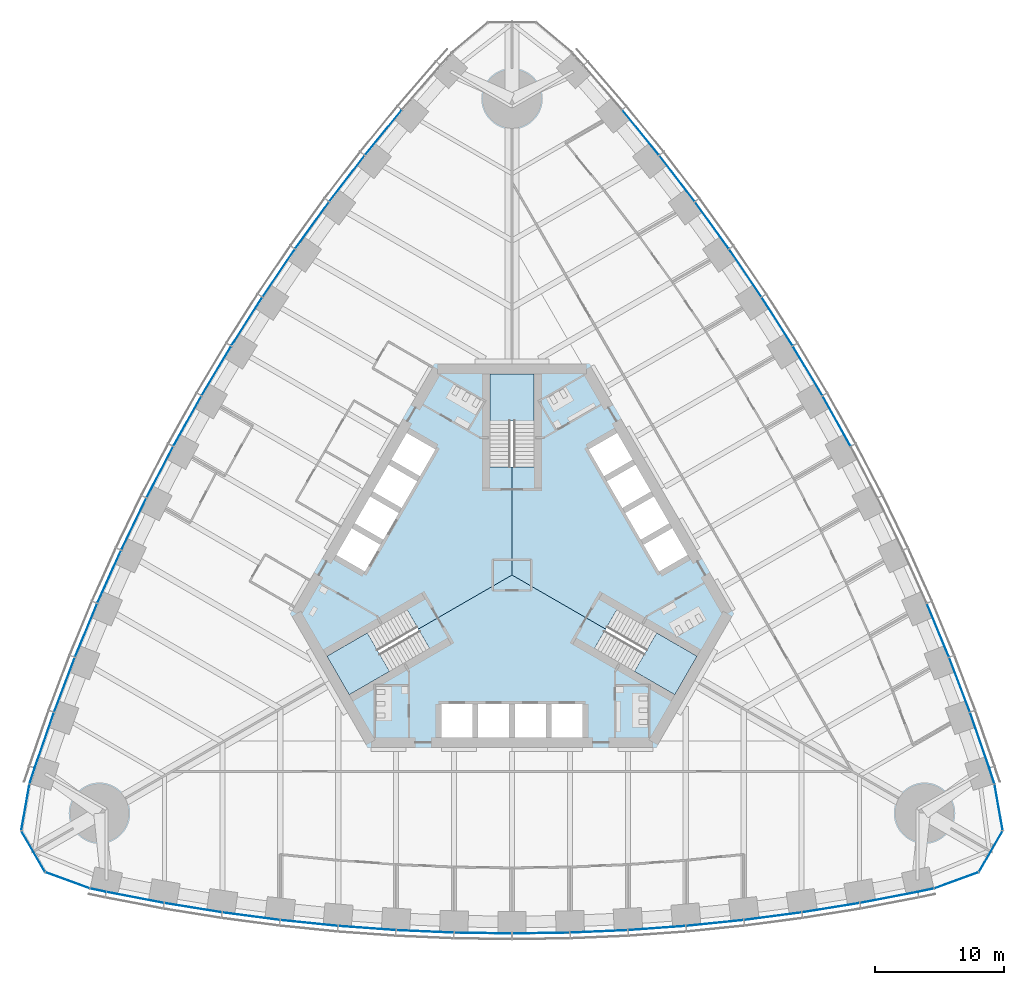
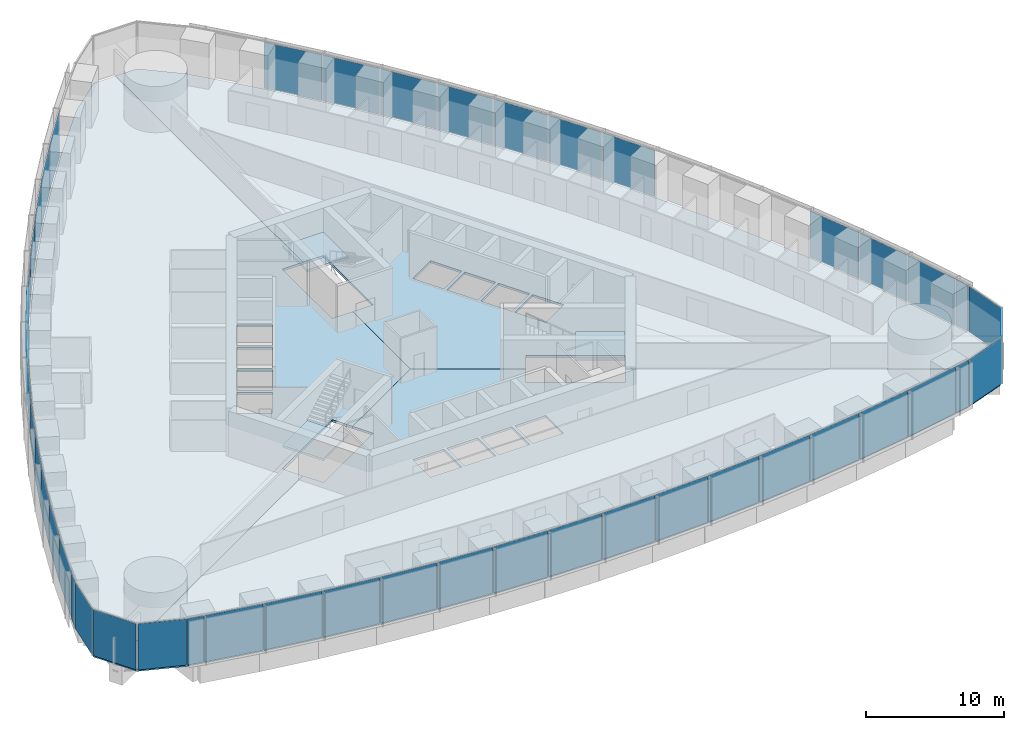
# One storey, part 8 of 18: 47 plates, 6 slabs, 8 elements without a shape of their own.
"""IFC4 building model written with IfcOpenShell, lengths in metres."""

import ifcopenshell
import ifcopenshell.guid

model = None  # the IFC model being written
_history = None  # IfcOwnerHistory: only IFC2X3 demands one
_inside = {}  # id of a spatial element -> (the spatial element, [elements in it])
_under = {}  # id of a project, library or spatial element -> (it, [spatial elements below it])
_declared = {}  # id of a project -> (the project, [libraries it declares])
_typed = {}  # id of a type object -> (the type object, [elements of that type])
_made_of = {}  # id of a material, layer set ... -> (it, [elements and type objects made of it])


def new_model(schema):
    """Start an empty IFC model of exactly this schema.

    Asked for "IFC4X3", IfcOpenShell would pick the latest addendum, in which some entities
    have other attributes; the version numbers below select the first issue.
    IFC2X3 requires an IfcOwnerHistory on every rooted entity: one is made here for all.
    """
    global model, _history
    if schema == "IFC4X3":
        model = ifcopenshell.file(schema_version=(4, 3, 0, 0))
    else:
        model = ifcopenshell.file(schema=schema)
    _inside.clear()
    _under.clear()
    _declared.clear()
    _typed.clear()
    _made_of.clear()
    _history = None
    if model.schema == "IFC2X3":
        org = make("IfcOrganization", Name="unknown")
        user = make(
            "IfcPersonAndOrganization",
            ThePerson=make("IfcPerson", FamilyName="unknown"),
            TheOrganization=org,
        )
        app = make(
            "IfcApplication",
            ApplicationDeveloper=org,
            Version="unknown",
            ApplicationFullName="unknown",
            ApplicationIdentifier="unknown",
        )
        _history = make(
            "IfcOwnerHistory",
            OwningUser=user,
            OwningApplication=app,
            ChangeAction="ADDED",
            CreationDate=0,
        )
    return model


def make(cls, **values):
    """One entity of the class cls with the attributes given. An attribute that is None is left unset."""
    return model.create_entity(
        cls, **{name: value for name, value in values.items() if value is not None}
    )


def rooted(cls, **values):
    """An entity with a GlobalId (a new one), such as an element, a storey or a relation."""
    return make(cls, GlobalId=ifcopenshell.guid.new(), OwnerHistory=_history, **values)


def si_unit(unit_type, name, prefix=None):
    """IfcSIUnit, for example si_unit("LENGTHUNIT", "METRE", prefix="MILLI")."""
    return make("IfcSIUnit", UnitType=unit_type, Prefix=prefix, Name=name)


def assignment(units):
    """IfcUnitAssignment: the units of a project."""
    return None if units is None else make("IfcUnitAssignment", Units=units)


def point(xyz):
    """IfcCartesianPoint."""
    return None if xyz is None else make("IfcCartesianPoint", Coordinates=xyz)


def direction(xyz):
    """IfcDirection."""
    return None if xyz is None else make("IfcDirection", DirectionRatios=xyz)


def frame(location, z_axis=None, x_axis=None):
    """IfcAxis2Placement3D, a coordinate frame: its origin and axes. An axis left out is left unset."""
    return make(
        "IfcAxis2Placement3D",
        Location=point(location),
        Axis=direction(z_axis),
        RefDirection=direction(x_axis),
    )


def frame_2d(location, x_axis=None):
    """IfcAxis2Placement2D, a coordinate frame in the plane: its origin and x axis."""
    return make(
        "IfcAxis2Placement2D", Location=point(location), RefDirection=direction(x_axis)
    )


def origin():
    """The frame at (0, 0, 0) with its axes left unset."""
    return frame((0.0, 0.0, 0.0))


def origin_2d():
    """The frame at (0, 0) in the plane with its x axis left unset."""
    return frame_2d((0.0, 0.0))


def place(relative_to, where):
    """IfcLocalPlacement: puts the frame where relative to a parent placement (None: the world)."""
    return make(
        "IfcLocalPlacement", PlacementRelTo=relative_to, RelativePlacement=where
    )


def context(
    kind, dimensions, precision=None, world=None, true_north=None, identifier=None
):
    """IfcGeometricRepresentationContext, for example the 3D "Model" context."""
    return make(
        "IfcGeometricRepresentationContext",
        ContextIdentifier=identifier,
        ContextType=kind,
        CoordinateSpaceDimension=dimensions,
        Precision=precision,
        WorldCoordinateSystem=world,
        TrueNorth=true_north,
    )


def subcontext(parent, identifier, kind, view, scale=None):
    """IfcGeometricRepresentationSubContext, for example "Body" below "Model"."""
    return make(
        "IfcGeometricRepresentationSubContext",
        ContextIdentifier=identifier,
        ContextType=kind,
        ParentContext=parent,
        TargetScale=scale,
        TargetView=view,
    )


def project(units=None, contexts=None):
    """IfcProject with its units and contexts."""
    return rooted(
        "IfcProject",
        Name="project",
        RepresentationContexts=contexts,
        UnitsInContext=assignment(units),
    )


def spatial(cls, under=None, at=None, **own):
    """A site, building, storey or space (cls), placed at a placement, below another one or the project."""
    s = rooted(cls, ObjectPlacement=at, **own)
    if under is not None:
        _under.setdefault(under.id(), (under, []))[1].append(s)
    return s


def polyline(points):
    """IfcPolyline through the points."""
    return make("IfcPolyline", Points=[point(p) for p in points])


def profile(cls, at=None, kind="AREA", **sizes):
    """A parametric profile (cls). Its sizes go by their IFC names, for example OverallWidth=200.0."""
    return make(cls, ProfileType=kind, Position=at, **sizes)


def rectangle(**sizes):
    """IfcRectangleProfileDef."""
    return profile("IfcRectangleProfileDef", **sizes)


def outline(outer, holes=None, kind="AREA"):
    """IfcArbitraryClosedProfileDef: a profile drawn as a closed curve; with holes, ...WithVoids."""
    if holes is None:
        return make("IfcArbitraryClosedProfileDef", ProfileType=kind, OuterCurve=outer)
    return make(
        "IfcArbitraryProfileDefWithVoids",
        ProfileType=kind,
        OuterCurve=outer,
        InnerCurves=holes,
    )


def extrude(swept, where, along, depth):
    """IfcExtrudedAreaSolid: the profile swept, set in the frame where, extruded along a direction by depth."""
    return make(
        "IfcExtrudedAreaSolid",
        SweptArea=swept,
        Position=where,
        ExtrudedDirection=direction(along),
        Depth=depth,
    )


def shape(context_of_items, identifier, shape_type, items):
    """IfcShapeRepresentation: the items that make up one representation, for example the "Body"."""
    return make(
        "IfcShapeRepresentation",
        ContextOfItems=context_of_items,
        RepresentationIdentifier=identifier,
        RepresentationType=shape_type,
        Items=items,
    )


def material(Name=None, Category=None):
    """IfcMaterial."""
    return make("IfcMaterial", Name=Name, Category=Category)


def layer(
    of_material, thickness, ventilated=None, Name=None, Category=None, Priority=None
):
    """IfcMaterialLayer: one layer of a wall or slab, of a material (None: an air gap)."""
    return make(
        "IfcMaterialLayer",
        Material=of_material,
        LayerThickness=thickness,
        IsVentilated=ventilated,
        Name=Name,
        Category=Category,
        Priority=Priority,
    )


def layer_set(layers, Name=None):
    """IfcMaterialLayerSet."""
    return make("IfcMaterialLayerSet", MaterialLayers=layers, LayerSetName=Name)


def made_of(thing, what):
    """Note that an element or type object is made of a material, layer set ...; save() writes the relation."""
    if what is not None:
        _made_of.setdefault(what.id(), (what, []))[1].append(thing)
    return thing


def type_object(cls, material=None, **own):
    """A type object (cls), such as IfcWallType, which elements share."""
    return made_of(rooted(cls, **own), material)


def element(
    cls,
    number,
    at=None,
    inside=None,
    cuts=None,
    type_object=None,
    material=None,
    context=None,
    identifier="Body",
    shape_type=None,
    held_by="IfcProductDefinitionShape",
    body=None,
    shapes=None,
    **own,
):
    """One element of the class cls, such as IfcWall. Its Tag is "e" and its number.

    at: its placement. inside: the storey or other place that contains it. cuts: it is an
    opening in that element (IfcRelVoidsElement). A single representation is given by context,
    identifier, shape_type and body (its items); several are given by shapes. held_by: the class
    of the entity that holds the representations. save() writes the other relations.
    """
    e = rooted(cls, Tag="e%d" % number, ObjectPlacement=at, **own)
    if body is not None:
        shapes = [shape(context, identifier, shape_type, body)]
    if shapes is not None:
        e.Representation = make(held_by, Representations=shapes)
    if inside is not None:
        _inside.setdefault(inside.id(), (inside, []))[1].append(e)
    if cuts is not None:
        rooted(
            "IfcRelVoidsElement", RelatingBuildingElement=cuts, RelatedOpeningElement=e
        )
    if type_object is not None:
        _typed.setdefault(type_object.id(), (type_object, []))[1].append(e)
    return made_of(e, material)


def aggregate(whole, parts):
    """IfcRelAggregates: a whole, such as a stair, and the parts it consists of."""
    return rooted("IfcRelAggregates", RelatingObject=whole, RelatedObjects=parts)


def save(model, path):
    """Write the relations noted so far, then the file.

    IfcRelAggregates (storeys below a building ...), IfcRelContainedInSpatialStructure (elements
    in a storey), IfcRelDefinesByType, IfcRelAssociatesMaterial and IfcRelDeclares: one each for
    every whole, place, type object, material and project.
    """
    for whole, parts in _under.values():
        aggregate(whole, parts)
    for where, things in _inside.values():
        rooted(
            "IfcRelContainedInSpatialStructure",
            RelatedElements=things,
            RelatingStructure=where,
        )
    for kind, things in _typed.values():
        rooted("IfcRelDefinesByType", RelatedObjects=things, RelatingType=kind)
    for what, things in _made_of.values():
        rooted("IfcRelAssociatesMaterial", RelatedObjects=things, RelatingMaterial=what)
    for by, libraries in _declared.values():
        rooted("IfcRelDeclares", RelatingContext=by, RelatedDefinitions=libraries)
    model.write(path)


model = new_model("IFC4")

# Units and contexts
model_context = context("Model", 3, precision=1e-05, world=origin(), true_north=direction((0.0, 1.0)))
body_context = subcontext(model_context, "Body", "Model", "MODEL_VIEW")
ifc_project = project(units=[si_unit("LENGTHUNIT", "METRE"), si_unit("AREAUNIT", "SQUARE_METRE"), si_unit("VOLUMEUNIT", "CUBIC_METRE"), si_unit("PLANEANGLEUNIT", "RADIAN"), si_unit("MASSUNIT", "GRAM", prefix="KILO")], contexts=[model_context])

# Site, building, storey
site_placement = place(None, origin())
site = spatial("IfcSite", under=ifc_project, at=site_placement, CompositionType="ELEMENT")
building_placement = place(site_placement, origin())
building = spatial("IfcBuilding", under=site, at=building_placement, Name="Trefoil Bronze Tower", CompositionType="ELEMENT")
storey_placement = place(building_placement, frame((0.0, 0.0, 62.699951171875)))
storey = spatial("IfcBuildingStorey", under=building, at=storey_placement, Name="L14", CompositionType="ELEMENT", Elevation=62.699951171875)

# Curtain wall, plates
ifc_material_1 = material(Name="Tinted solar-control glass", Category="glass")
curtain_wall_type_1 = type_object("IfcCurtainWallType", Name="Bronze office curtain wall", PredefinedType="USERDEFINED", material=ifc_material_1)
curtain_wall_1_placement = place(storey_placement, origin())
curtain_wall_1 = element("IfcCurtainWall", 1, at=curtain_wall_1_placement, inside=storey, type_object=curtain_wall_type_1, Name="CW-A L14 F1", ObjectType="CURTAIN WALL", PredefinedType="USERDEFINED")
ifc_material_2 = material(Name="Tinted solar-control glass", Category="glass")
ifc_layer_1 = layer(ifc_material_2, 0.030029296875)
ifc_layer_set_1 = layer_set([ifc_layer_1], Name="Bronze office curtain wall glass panel")
plate_type_1 = type_object("IfcPlateType", Name="Bronze office curtain wall glass panel", PredefinedType="CURTAIN_PANEL", material=ifc_layer_set_1)
plate_1_placement = place(storey_placement, frame((-32.15185546875, -24.480224609375, 0.0), z_axis=(0.0, 0.0, 1.0), x_axis=(0.978302717041, -0.207180582657, 0.0)))
plate_1 = element("IfcPlate", 2, at=plate_1_placement, type_object=plate_type_1, Name="CW-A L14 F1 panel 1", PredefinedType="CURTAIN_PANEL", context=body_context, shape_type="SweptSolid", body=[
    extrude(rectangle(XDim=1.21044921875, YDim=0.030029296875, at=origin_2d()), origin(), (0.0, 0.0, 1.0), 4.080078125),
])
plate_2_placement = place(storey_placement, frame((-29.268798828125, -25.04638671875, 0.0), z_axis=(0.0, 0.0, 1.0), x_axis=(0.982049823817, -0.188621694249, 0.0)))
plate_2 = element("IfcPlate", 3, at=plate_2_placement, type_object=plate_type_1, Name="CW-A L14 F1 panel 2", PredefinedType="CURTAIN_PANEL", context=body_context, shape_type="SweptSolid", body=[
    extrude(rectangle(XDim=4.502197265625, YDim=0.030029296875, at=origin_2d()), origin(), (0.0, 0.0, 1.0), 4.080078125),
])
plate_3_placement = place(storey_placement, frame((-24.765869140625, -25.8427734375, 0.0), z_axis=(0.0, 0.0, 1.0), x_axis=(0.987181315145, -0.159602791421, 0.0)))
plate_3 = element("IfcPlate", 4, at=plate_3_placement, type_object=plate_type_1, Name="CW-A L14 F1 panel 3", PredefinedType="CURTAIN_PANEL", context=body_context, shape_type="SweptSolid", body=[
    extrude(rectangle(XDim=4.478515625, YDim=0.030029296875, at=origin_2d()), origin(), (0.0, 0.0, 1.0), 4.080078125),
])
plate_4_placement = place(storey_placement, frame((-20.262939453125, -26.50341796875, 0.0), z_axis=(0.0, 0.0, 1.0), x_axis=(0.991437251591, -0.130583981243, 0.0)))
plate_4 = element("IfcPlate", 5, at=plate_4_placement, type_object=plate_type_1, Name="CW-A L14 F1 panel 4", PredefinedType="CURTAIN_PANEL", context=body_context, shape_type="SweptSolid", body=[
    extrude(rectangle(XDim=4.458984375, YDim=0.030029296875, at=origin_2d()), origin(), (0.0, 0.0, 1.0), 4.080078125),
])
plate_5_placement = place(storey_placement, frame((-15.76025390625, -27.02978515625, 0.0), z_axis=(0.0, 0.0, 1.0), x_axis=(0.994828880293, -0.101565244717, 0.0)))
plate_5 = element("IfcPlate", 6, at=plate_5_placement, type_object=plate_type_1, Name="CW-A L14 F1 panel 5", PredefinedType="CURTAIN_PANEL", context=body_context, shape_type="SweptSolid", body=[
    extrude(rectangle(XDim=4.443359375, YDim=0.030029296875, at=origin_2d()), origin(), (0.0, 0.0, 1.0), 4.080078125),
])
plate_6_placement = place(storey_placement, frame((-11.25732421875, -27.42333984375, 0.0), z_axis=(0.0, 0.0, 1.0), x_axis=(0.99736502647, -0.072546564177, 0.0)))
plate_6 = element("IfcPlate", 7, at=plate_6_placement, type_object=plate_type_1, Name="CW-A L14 F1 panel 6", PredefinedType="CURTAIN_PANEL", context=body_context, shape_type="SweptSolid", body=[
    extrude(rectangle(XDim=4.431884765625, YDim=0.030029296875, at=origin_2d()), origin(), (0.0, 0.0, 1.0), 4.080078125),
])
plate_7_placement = place(storey_placement, frame((-6.75439453125, -27.685302734375, 0.0), z_axis=(0.0, 0.0, 1.0), x_axis=(0.999052210809, -0.043527922969, 0.0)))
plate_7 = element("IfcPlate", 8, at=plate_7_placement, type_object=plate_type_1, Name="CW-A L14 F1 panel 7", PredefinedType="CURTAIN_PANEL", context=body_context, shape_type="SweptSolid", body=[
    extrude(rectangle(XDim=4.42431640625, YDim=0.030029296875, at=origin_2d()), origin(), (0.0, 0.0, 1.0), 4.080078125),
])
plate_8_placement = place(storey_placement, frame((-2.25146484375, -27.816162109375, 0.0), z_axis=(0.0, 0.0, 1.0), x_axis=(0.999894734493, -0.014509305083, 0.0)))
plate_8 = element("IfcPlate", 9, at=plate_8_placement, type_object=plate_type_1, Name="CW-A L14 F1 panel 8", PredefinedType="CURTAIN_PANEL", context=body_context, shape_type="SweptSolid", body=[
    extrude(rectangle(XDim=4.42041015625, YDim=0.030029296875, at=origin_2d()), origin(), (0.0, 0.0, 1.0), 4.080078125),
])
plate_9_placement = place(storey_placement, frame((2.25146484375, -27.816162109375, 0.0), z_axis=(0.0, 0.0, 1.0), x_axis=(0.999894734493, 0.014509305083, 0.0)))
plate_9 = element("IfcPlate", 10, at=plate_9_placement, type_object=plate_type_1, Name="CW-A L14 F1 panel 9", PredefinedType="CURTAIN_PANEL", context=body_context, shape_type="SweptSolid", body=[
    extrude(rectangle(XDim=4.42041015625, YDim=0.030029296875, at=origin_2d()), origin(), (0.0, 0.0, 1.0), 4.080078125),
])
plate_10_placement = place(storey_placement, frame((6.75439453125, -27.685302734375, 0.0), z_axis=(0.0, 0.0, 1.0), x_axis=(0.999052210809, 0.043527922969, 0.0)))
plate_10 = element("IfcPlate", 11, at=plate_10_placement, type_object=plate_type_1, Name="CW-A L14 F1 panel 10", PredefinedType="CURTAIN_PANEL", context=body_context, shape_type="SweptSolid", body=[
    extrude(rectangle(XDim=4.42431640625, YDim=0.030029296875, at=origin_2d()), origin(), (0.0, 0.0, 1.0), 4.080078125),
])
plate_11_placement = place(storey_placement, frame((11.25732421875, -27.42333984375, 0.0), z_axis=(0.0, 0.0, 1.0), x_axis=(0.99736502647, 0.072546564177, 0.0)))
plate_11 = element("IfcPlate", 12, at=plate_11_placement, type_object=plate_type_1, Name="CW-A L14 F1 panel 11", PredefinedType="CURTAIN_PANEL", context=body_context, shape_type="SweptSolid", body=[
    extrude(rectangle(XDim=4.431884765625, YDim=0.030029296875, at=origin_2d()), origin(), (0.0, 0.0, 1.0), 4.080078125),
])
plate_12_placement = place(storey_placement, frame((15.76025390625, -27.02978515625, 0.0), z_axis=(0.0, 0.0, 1.0), x_axis=(0.994828880293, 0.101565244717, 0.0)))
plate_12 = element("IfcPlate", 13, at=plate_12_placement, type_object=plate_type_1, Name="CW-A L14 F1 panel 12", PredefinedType="CURTAIN_PANEL", context=body_context, shape_type="SweptSolid", body=[
    extrude(rectangle(XDim=4.443359375, YDim=0.030029296875, at=origin_2d()), origin(), (0.0, 0.0, 1.0), 4.080078125),
])
plate_13_placement = place(storey_placement, frame((20.262939453125, -26.50341796875, 0.0), z_axis=(0.0, 0.0, 1.0), x_axis=(0.991437251591, 0.130583981243, 0.0)))
plate_13 = element("IfcPlate", 14, at=plate_13_placement, type_object=plate_type_1, Name="CW-A L14 F1 panel 13", PredefinedType="CURTAIN_PANEL", context=body_context, shape_type="SweptSolid", body=[
    extrude(rectangle(XDim=4.458984375, YDim=0.030029296875, at=origin_2d()), origin(), (0.0, 0.0, 1.0), 4.080078125),
])
plate_14_placement = place(storey_placement, frame((24.765869140625, -25.8427734375, 0.0), z_axis=(0.0, 0.0, 1.0), x_axis=(0.987181315145, 0.159602791421, 0.0)))
plate_14 = element("IfcPlate", 15, at=plate_14_placement, type_object=plate_type_1, Name="CW-A L14 F1 panel 14", PredefinedType="CURTAIN_PANEL", context=body_context, shape_type="SweptSolid", body=[
    extrude(rectangle(XDim=4.478515625, YDim=0.030029296875, at=origin_2d()), origin(), (0.0, 0.0, 1.0), 4.080078125),
])
plate_15_placement = place(storey_placement, frame((29.268798828125, -25.04638671875, 0.0), z_axis=(0.0, 0.0, 1.0), x_axis=(0.982049823817, 0.188621694249, 0.0)))
plate_15 = element("IfcPlate", 16, at=plate_15_placement, type_object=plate_type_1, Name="CW-A L14 F1 panel 15", PredefinedType="CURTAIN_PANEL", context=body_context, shape_type="SweptSolid", body=[
    extrude(rectangle(XDim=4.502197265625, YDim=0.030029296875, at=origin_2d()), origin(), (0.0, 0.0, 1.0), 4.080078125),
])
plate_16_placement = place(storey_placement, frame((32.15185546875, -24.480224609375, 0.0), z_axis=(0.0, 0.0, 1.0), x_axis=(0.978302717041, 0.207180582657, 0.0)))
plate_16 = element("IfcPlate", 17, at=plate_16_placement, type_object=plate_type_1, Name="CW-A L14 F1 panel 16", PredefinedType="CURTAIN_PANEL", context=body_context, shape_type="SweptSolid", body=[
    extrude(rectangle(XDim=1.21044921875, YDim=0.030029296875, at=origin_2d()), origin(), (0.0, 0.0, 1.0), 4.080078125),
])
aggregate(curtain_wall_1, [plate_1, plate_2, plate_3, plate_4, plate_5, plate_6, plate_7, plate_8, plate_9, plate_10, plate_11, plate_12, plate_13, plate_14, plate_15, plate_16])

curtain_wall_2_placement = place(storey_placement, origin())
curtain_wall_2 = element("IfcCurtainWall", 18, at=curtain_wall_2_placement, inside=storey, type_object=curtain_wall_type_1, Name="CW-A L14 F2", ObjectType="CURTAIN WALL", PredefinedType="USERDEFINED")
plate_17_placement = place(storey_placement, frame((37.2763671875, -15.604248046875, 0.0), z_axis=(0.0, 0.0, 1.0), x_axis=(-0.309727710769, 0.950825296877, 0.0)))
plate_17 = element("IfcPlate", 19, at=plate_17_placement, type_object=plate_type_1, Name="CW-A L14 F2 panel 1", PredefinedType="CURTAIN_PANEL", context=body_context, shape_type="SweptSolid", body=[
    extrude(rectangle(XDim=1.21044921875, YDim=0.030029296875, at=origin_2d()), origin(), (0.0, 0.0, 1.0), 4.080078125),
])
plate_18_placement = place(storey_placement, frame((36.3251953125, -12.824462890625, 0.0), z_axis=(0.0, 0.0, 1.0), x_axis=(-0.327673732984, 0.944790942332, 0.0)))
plate_18 = element("IfcPlate", 20, at=plate_18_placement, type_object=plate_type_1, Name="CW-A L14 F2 panel 2", PredefinedType="CURTAIN_PANEL", context=body_context, shape_type="SweptSolid", body=[
    extrude(rectangle(XDim=4.502197265625, YDim=0.030029296875, at=origin_2d()), origin(), (0.0, 0.0, 1.0), 4.080078125),
])
plate_19_placement = place(storey_placement, frame((34.763427734375, -8.526611328125, 0.0), z_axis=(0.0, 0.0, 1.0), x_axis=(-0.355370585687, 0.934725492767, 0.0)))
plate_19 = element("IfcPlate", 21, at=plate_19_placement, type_object=plate_type_1, Name="CW-A L14 F2 panel 3", PredefinedType="CURTAIN_PANEL", context=body_context, shape_type="SweptSolid", body=[
    extrude(rectangle(XDim=4.478515625, YDim=0.030029296875, at=origin_2d()), origin(), (0.0, 0.0, 1.0), 4.080078125),
])
plate_20_placement = place(storey_placement, frame((33.084228515625, -4.296630859375, 0.0), z_axis=(0.0, 0.0, 1.0), x_axis=(-0.382629580712, 0.923901836758, 0.0)))
plate_20 = element("IfcPlate", 22, at=plate_20_placement, type_object=plate_type_1, Name="CW-A L14 F2 panel 4", PredefinedType="CURTAIN_PANEL", context=body_context, shape_type="SweptSolid", body=[
    extrude(rectangle(XDim=4.458984375, YDim=0.030029296875, at=origin_2d()), origin(), (0.0, 0.0, 1.0), 4.080078125),
])
plate_21_placement = place(storey_placement, frame((25.215087890625, 11.958251953125, 0.0), z_axis=(0.0, 0.0, 1.0), x_axis=(-0.487381940453, 0.873188893722, 0.0)))
plate_21 = element("IfcPlate", 23, at=plate_21_placement, type_object=plate_type_1, Name="CW-A L14 F2 panel 8", PredefinedType="CURTAIN_PANEL", context=body_context, shape_type="SweptSolid", body=[
    extrude(rectangle(XDim=4.42041015625, YDim=0.030029296875, at=origin_2d()), origin(), (0.0, 0.0, 1.0), 4.080078125),
])
plate_22_placement = place(storey_placement, frame((22.963623046875, 15.85791015625, 0.0), z_axis=(0.0, 0.0, 1.0), x_axis=(-0.51251279404, 0.858679588639, 0.0)))
plate_22 = element("IfcPlate", 24, at=plate_22_placement, type_object=plate_type_1, Name="CW-A L14 F2 panel 9", PredefinedType="CURTAIN_PANEL", context=body_context, shape_type="SweptSolid", body=[
    extrude(rectangle(XDim=4.42041015625, YDim=0.030029296875, at=origin_2d()), origin(), (0.0, 0.0, 1.0), 4.080078125),
])
plate_23_placement = place(storey_placement, frame((20.598876953125, 19.692138671875, 0.0), z_axis=(0.0, 0.0, 1.0), x_axis=(-0.537222392469, 0.843440632783, 0.0)))
plate_23 = element("IfcPlate", 25, at=plate_23_placement, type_object=plate_type_1, Name="CW-A L14 F2 panel 10", PredefinedType="CURTAIN_PANEL", context=body_context, shape_type="SweptSolid", body=[
    extrude(rectangle(XDim=4.42431640625, YDim=0.030029296875, at=origin_2d()), origin(), (0.0, 0.0, 1.0), 4.080078125),
])
plate_24_placement = place(storey_placement, frame((18.120849609375, 23.460693359375, 0.0), z_axis=(0.0, 0.0, 1.0), x_axis=(-0.56150968077, 0.827470167681, 0.0)))
plate_24 = element("IfcPlate", 26, at=plate_24_placement, type_object=plate_type_1, Name="CW-A L14 F2 panel 11", PredefinedType="CURTAIN_PANEL", context=body_context, shape_type="SweptSolid", body=[
    extrude(rectangle(XDim=4.431884765625, YDim=0.030029296875, at=origin_2d()), origin(), (0.0, 0.0, 1.0), 4.080078125),
])
plate_25_placement = place(storey_placement, frame((15.5283203125, 27.16357421875, 0.0), z_axis=(0.0, 0.0, 1.0), x_axis=(-0.585372522213, 0.810764460394, 0.0)))
plate_25 = element("IfcPlate", 27, at=plate_25_placement, type_object=plate_type_1, Name="CW-A L14 F2 panel 12", PredefinedType="CURTAIN_PANEL", context=body_context, shape_type="SweptSolid", body=[
    extrude(rectangle(XDim=4.443359375, YDim=0.030029296875, at=origin_2d()), origin(), (0.0, 0.0, 1.0), 4.080078125),
])
plate_26_placement = place(storey_placement, frame((12.821044921875, 30.800048828125, 0.0), z_axis=(0.0, 0.0, 1.0), x_axis=(-0.608807670879, 0.793317855515, 0.0)))
plate_26 = element("IfcPlate", 28, at=plate_26_placement, type_object=plate_type_1, Name="CW-A L14 F2 panel 13", PredefinedType="CURTAIN_PANEL", context=body_context, shape_type="SweptSolid", body=[
    extrude(rectangle(XDim=4.458984375, YDim=0.030029296875, at=origin_2d()), origin(), (0.0, 0.0, 1.0), 4.080078125),
])
plate_27_placement = place(storey_placement, frame((9.99755859375, 34.369384765625, 0.0), z_axis=(0.0, 0.0, 1.0), x_axis=(-0.631810729457, 0.775122701346, 0.0)))
plate_27 = element("IfcPlate", 29, at=plate_27_placement, type_object=plate_type_1, Name="CW-A L14 F2 panel 14", PredefinedType="CURTAIN_PANEL", context=body_context, shape_type="SweptSolid", body=[
    extrude(rectangle(XDim=4.478515625, YDim=0.030029296875, at=origin_2d()), origin(), (0.0, 0.0, 1.0), 4.080078125),
])
aggregate(curtain_wall_2, [plate_17, plate_18, plate_19, plate_20, plate_21, plate_22, plate_23, plate_24, plate_25, plate_26, plate_27])

curtain_wall_3_placement = place(storey_placement, origin())
curtain_wall_3 = element("IfcCurtainWall", 30, at=curtain_wall_3_placement, inside=storey, type_object=curtain_wall_type_1, Name="CW-A L14 F3", ObjectType="CURTAIN WALL", PredefinedType="USERDEFINED")
plate_28_placement = place(storey_placement, frame((-9.99755859375, 34.369384765625, 0.0), z_axis=(0.0, 0.0, 1.0), x_axis=(-0.631810729457, -0.775122701346, 0.0)))
plate_28 = element("IfcPlate", 31, at=plate_28_placement, type_object=plate_type_1, Name="CW-A L14 F3 panel 3", PredefinedType="CURTAIN_PANEL", context=body_context, shape_type="SweptSolid", body=[
    extrude(rectangle(XDim=4.478515625, YDim=0.030029296875, at=origin_2d()), origin(), (0.0, 0.0, 1.0), 4.080078125),
])
plate_29_placement = place(storey_placement, frame((-12.821044921875, 30.800048828125, 0.0), z_axis=(0.0, 0.0, 1.0), x_axis=(-0.608807670879, -0.793317855515, 0.0)))
plate_29 = element("IfcPlate", 32, at=plate_29_placement, type_object=plate_type_1, Name="CW-A L14 F3 panel 4", PredefinedType="CURTAIN_PANEL", context=body_context, shape_type="SweptSolid", body=[
    extrude(rectangle(XDim=4.458984375, YDim=0.030029296875, at=origin_2d()), origin(), (0.0, 0.0, 1.0), 4.080078125),
])
plate_30_placement = place(storey_placement, frame((-15.5283203125, 27.16357421875, 0.0), z_axis=(0.0, 0.0, 1.0), x_axis=(-0.585372522213, -0.810764460394, 0.0)))
plate_30 = element("IfcPlate", 33, at=plate_30_placement, type_object=plate_type_1, Name="CW-A L14 F3 panel 5", PredefinedType="CURTAIN_PANEL", context=body_context, shape_type="SweptSolid", body=[
    extrude(rectangle(XDim=4.443359375, YDim=0.030029296875, at=origin_2d()), origin(), (0.0, 0.0, 1.0), 4.080078125),
])
plate_31_placement = place(storey_placement, frame((-18.120849609375, 23.460693359375, 0.0), z_axis=(0.0, 0.0, 1.0), x_axis=(-0.56150968077, -0.827470167681, 0.0)))
plate_31 = element("IfcPlate", 34, at=plate_31_placement, type_object=plate_type_1, Name="CW-A L14 F3 panel 6", PredefinedType="CURTAIN_PANEL", context=body_context, shape_type="SweptSolid", body=[
    extrude(rectangle(XDim=4.431884765625, YDim=0.030029296875, at=origin_2d()), origin(), (0.0, 0.0, 1.0), 4.080078125),
])
plate_32_placement = place(storey_placement, frame((-20.598876953125, 19.692138671875, 0.0), z_axis=(0.0, 0.0, 1.0), x_axis=(-0.537222392469, -0.843440632783, 0.0)))
plate_32 = element("IfcPlate", 35, at=plate_32_placement, type_object=plate_type_1, Name="CW-A L14 F3 panel 7", PredefinedType="CURTAIN_PANEL", context=body_context, shape_type="SweptSolid", body=[
    extrude(rectangle(XDim=4.42431640625, YDim=0.030029296875, at=origin_2d()), origin(), (0.0, 0.0, 1.0), 4.080078125),
])
plate_33_placement = place(storey_placement, frame((-22.963623046875, 15.85791015625, 0.0), z_axis=(0.0, 0.0, 1.0), x_axis=(-0.51251279404, -0.858679588639, 0.0)))
plate_33 = element("IfcPlate", 36, at=plate_33_placement, type_object=plate_type_1, Name="CW-A L14 F3 panel 8", PredefinedType="CURTAIN_PANEL", context=body_context, shape_type="SweptSolid", body=[
    extrude(rectangle(XDim=4.42041015625, YDim=0.030029296875, at=origin_2d()), origin(), (0.0, 0.0, 1.0), 4.080078125),
])
plate_34_placement = place(storey_placement, frame((-25.215087890625, 11.958251953125, 0.0), z_axis=(0.0, 0.0, 1.0), x_axis=(-0.487381940453, -0.873188893722, 0.0)))
plate_34 = element("IfcPlate", 37, at=plate_34_placement, type_object=plate_type_1, Name="CW-A L14 F3 panel 9", PredefinedType="CURTAIN_PANEL", context=body_context, shape_type="SweptSolid", body=[
    extrude(rectangle(XDim=4.42041015625, YDim=0.030029296875, at=origin_2d()), origin(), (0.0, 0.0, 1.0), 4.080078125),
])
plate_35_placement = place(storey_placement, frame((-27.353271484375, 7.9931640625, 0.0), z_axis=(0.0, 0.0, 1.0), x_axis=(-0.46182981834, -0.886968555752, 0.0)))
plate_35 = element("IfcPlate", 38, at=plate_35_placement, type_object=plate_type_1, Name="CW-A L14 F3 panel 10", PredefinedType="CURTAIN_PANEL", context=body_context, shape_type="SweptSolid", body=[
    extrude(rectangle(XDim=4.42431640625, YDim=0.030029296875, at=origin_2d()), origin(), (0.0, 0.0, 1.0), 4.080078125),
])
plate_36_placement = place(storey_placement, frame((-29.3779296875, 3.962646484375, 0.0), z_axis=(0.0, 0.0, 1.0), x_axis=(-0.4358553457, -0.900016731858, 0.0)))
plate_36 = element("IfcPlate", 39, at=plate_36_placement, type_object=plate_type_1, Name="CW-A L14 F3 panel 11", PredefinedType="CURTAIN_PANEL", context=body_context, shape_type="SweptSolid", body=[
    extrude(rectangle(XDim=4.431884765625, YDim=0.030029296875, at=origin_2d()), origin(), (0.0, 0.0, 1.0), 4.080078125),
])
plate_37_placement = place(storey_placement, frame((-31.28857421875, -0.1337890625, 0.0), z_axis=(0.0, 0.0, 1.0), x_axis=(-0.40945635808, -0.912329705111, 0.0)))
plate_37 = element("IfcPlate", 40, at=plate_37_placement, type_object=plate_type_1, Name="CW-A L14 F3 panel 12", PredefinedType="CURTAIN_PANEL", context=body_context, shape_type="SweptSolid", body=[
    extrude(rectangle(XDim=4.443359375, YDim=0.030029296875, at=origin_2d()), origin(), (0.0, 0.0, 1.0), 4.080078125),
])
plate_38_placement = place(storey_placement, frame((-33.084228515625, -4.296630859375, 0.0), z_axis=(0.0, 0.0, 1.0), x_axis=(-0.382629580712, -0.923901836758, 0.0)))
plate_38 = element("IfcPlate", 41, at=plate_38_placement, type_object=plate_type_1, Name="CW-A L14 F3 panel 13", PredefinedType="CURTAIN_PANEL", context=body_context, shape_type="SweptSolid", body=[
    extrude(rectangle(XDim=4.458984375, YDim=0.030029296875, at=origin_2d()), origin(), (0.0, 0.0, 1.0), 4.080078125),
])
plate_39_placement = place(storey_placement, frame((-34.763427734375, -8.526611328125, 0.0), z_axis=(0.0, 0.0, 1.0), x_axis=(-0.355370585687, -0.934725492767, 0.0)))
plate_39 = element("IfcPlate", 42, at=plate_39_placement, type_object=plate_type_1, Name="CW-A L14 F3 panel 14", PredefinedType="CURTAIN_PANEL", context=body_context, shape_type="SweptSolid", body=[
    extrude(rectangle(XDim=4.478515625, YDim=0.030029296875, at=origin_2d()), origin(), (0.0, 0.0, 1.0), 4.080078125),
])
plate_40_placement = place(storey_placement, frame((-36.3251953125, -12.824462890625, 0.0), z_axis=(0.0, 0.0, 1.0), x_axis=(-0.327673732984, -0.944790942332, 0.0)))
plate_40 = element("IfcPlate", 43, at=plate_40_placement, type_object=plate_type_1, Name="CW-A L14 F3 panel 15", PredefinedType="CURTAIN_PANEL", context=body_context, shape_type="SweptSolid", body=[
    extrude(rectangle(XDim=4.502197265625, YDim=0.030029296875, at=origin_2d()), origin(), (0.0, 0.0, 1.0), 4.080078125),
])
plate_41_placement = place(storey_placement, frame((-37.2763671875, -15.604248046875, 0.0), z_axis=(0.0, 0.0, 1.0), x_axis=(-0.309727710769, -0.950825296877, 0.0)))
plate_41 = element("IfcPlate", 44, at=plate_41_placement, type_object=plate_type_1, Name="CW-A L14 F3 panel 16", PredefinedType="CURTAIN_PANEL", context=body_context, shape_type="SweptSolid", body=[
    extrude(rectangle(XDim=1.21044921875, YDim=0.030029296875, at=origin_2d()), origin(), (0.0, 0.0, 1.0), 4.080078125),
])
aggregate(curtain_wall_3, [plate_28, plate_29, plate_30, plate_31, plate_32, plate_33, plate_34, plate_35, plate_36, plate_37, plate_38, plate_39, plate_40, plate_41])

ifc_material_3 = material(Name="Tinted solar-control glass", Category="glass")
curtain_wall_type_2 = type_object("IfcCurtainWallType", Name="Bronze rounded corner curtain wall", PredefinedType="USERDEFINED", material=ifc_material_3)
curtain_wall_4_placement = place(storey_placement, origin())
curtain_wall_4 = element("IfcCurtainWall", 45, at=curtain_wall_4_placement, inside=storey, type_object=curtain_wall_type_2, Name="CW-B L14 K1", ObjectType="CURTAIN WALL", PredefinedType="USERDEFINED")
ifc_material_4 = material(Name="Tinted solar-control glass", Category="glass")
ifc_layer_2 = layer(ifc_material_4, 0.030029296875)
ifc_layer_set_2 = layer_set([ifc_layer_2], Name="Bronze rounded corner curtain wall glass panel")
plate_type_2 = type_object("IfcPlateType", Name="Bronze rounded corner curtain wall glass panel", PredefinedType="CURTAIN_PANEL", material=ifc_layer_set_2)
plate_42_placement = place(storey_placement, frame((34.5107421875, -23.71875, 0.0), z_axis=(0.0, 0.0, 1.0), x_axis=(0.939692620786, 0.342020143326, 0.0)))
plate_42 = element("IfcPlate", 46, at=plate_42_placement, type_object=plate_type_2, Name="CW-B L14 K1 panel 1", PredefinedType="CURTAIN_PANEL", context=body_context, shape_type="SweptSolid", body=[
    extrude(rectangle(XDim=3.588134765625, YDim=0.030029296875, at=origin_2d()), origin(), (0.0, 0.0, 1.0), 4.080078125),
])
plate_43_placement = place(storey_placement, frame((37.189208984375, -21.47119140625, 0.0), z_axis=(0.0, 0.0, 1.0), x_axis=(0.5, 0.866025403784, 0.0)))
plate_43 = element("IfcPlate", 47, at=plate_43_placement, type_object=plate_type_2, Name="CW-B L14 K1 panel 2", PredefinedType="CURTAIN_PANEL", context=body_context, shape_type="SweptSolid", body=[
    extrude(rectangle(XDim=3.588134765625, YDim=0.030029296875, at=origin_2d()), origin(), (0.0, 0.0, 1.0), 4.080078125),
])
plate_44_placement = place(storey_placement, frame((37.79638671875, -18.02783203125, 0.0), z_axis=(0.0, 0.0, 1.0), x_axis=(-0.173648177667, 0.984807753012, 0.0)))
plate_44 = element("IfcPlate", 48, at=plate_44_placement, type_object=plate_type_2, Name="CW-B L14 K1 panel 3", PredefinedType="CURTAIN_PANEL", context=body_context, shape_type="SweptSolid", body=[
    extrude(rectangle(XDim=3.588134765625, YDim=0.030029296875, at=origin_2d()), origin(), (0.0, 0.0, 1.0), 4.080078125),
])
aggregate(curtain_wall_4, [plate_42, plate_43, plate_44])

curtain_wall_5_placement = place(storey_placement, origin())
curtain_wall_5 = element("IfcCurtainWall", 49, at=curtain_wall_5_placement, inside=storey, type_object=curtain_wall_type_2, Name="CW-B L14 K3", ObjectType="CURTAIN WALL", PredefinedType="USERDEFINED")
plate_45_placement = place(storey_placement, frame((-37.79638671875, -18.02783203125, 0.0), z_axis=(0.0, 0.0, 1.0), x_axis=(-0.173648177667, -0.984807753012, 0.0)))
plate_45 = element("IfcPlate", 50, at=plate_45_placement, type_object=plate_type_2, Name="CW-B L14 K3 panel 1", PredefinedType="CURTAIN_PANEL", context=body_context, shape_type="SweptSolid", body=[
    extrude(rectangle(XDim=3.588134765625, YDim=0.030029296875, at=origin_2d()), origin(), (0.0, 0.0, 1.0), 4.080078125),
])
plate_46_placement = place(storey_placement, frame((-37.189208984375, -21.47119140625, 0.0), z_axis=(0.0, 0.0, 1.0), x_axis=(0.5, -0.866025403784, 0.0)))
plate_46 = element("IfcPlate", 51, at=plate_46_placement, type_object=plate_type_2, Name="CW-B L14 K3 panel 2", PredefinedType="CURTAIN_PANEL", context=body_context, shape_type="SweptSolid", body=[
    extrude(rectangle(XDim=3.588134765625, YDim=0.030029296875, at=origin_2d()), origin(), (0.0, 0.0, 1.0), 4.080078125),
])
plate_47_placement = place(storey_placement, frame((-34.5107421875, -23.71875, 0.0), z_axis=(0.0, 0.0, 1.0), x_axis=(0.939692620786, -0.342020143326, 0.0)))
plate_47 = element("IfcPlate", 52, at=plate_47_placement, type_object=plate_type_2, Name="CW-B L14 K3 panel 3", PredefinedType="CURTAIN_PANEL", context=body_context, shape_type="SweptSolid", body=[
    extrude(rectangle(XDim=3.588134765625, YDim=0.030029296875, at=origin_2d()), origin(), (0.0, 0.0, 1.0), 4.080078125),
])
aggregate(curtain_wall_5, [plate_45, plate_46, plate_47])

# Slabs
ifc_material_5 = material(Name="Concrete B30", Category="concrete")
ifc_layer_3 = layer(ifc_material_5, 0.199951171875)
ifc_layer_set_3 = layer_set([ifc_layer_3], Name="Floor slab 200")
slab_type_1 = type_object("IfcSlabType", Name="Floor slab 200", PredefinedType="FLOOR", material=ifc_layer_set_3)
slab_1_placement = place(storey_placement, frame((0.0, 0.0, -0.199951171875)))
element("IfcSlab", 53, at=slab_1_placement, inside=storey, type_object=slab_type_1, Name="Floor slab L14 face 1", PredefinedType="FLOOR", context=body_context, shape_type="SweptSolid", body=[
    extrude(outline(polyline([(27.0, -25.38037109375), (22.5, -26.10791015625), (18.0, -26.70068359375), (13.5, -27.159912109375), (9.0, -27.4873046875), (4.5, -27.683349609375), (0.0, -27.748779296875), (-4.5, -27.683349609375), (-9.0, -27.4873046875), (-13.5, -27.159912109375), (-18.0, -26.70068359375), (-22.5, -26.10791015625), (-27.0, -25.38037109375), (-31.5, -24.51611328125), (-32.762451171875, -24.248779296875), (-36.190673828125, -23.0009765625), (-37.1025390625, -21.421142578125), (-13.510009765625, -7.800048828125), (-12.6474609375, -9.2939453125), (-6.412109375, -5.69384765625), (-7.274658203125, -4.199951171875), (0.0, 0.0), (7.274658203125, -4.199951171875), (6.412109375, -5.69384765625), (12.6474609375, -9.2939453125), (13.510009765625, -7.800048828125), (37.1025390625, -21.421142578125), (36.190673828125, -23.0009765625), (32.762451171875, -24.248779296875), (31.5, -24.51611328125), (27.0, -25.38037109375)]), holes=[polyline([(-5.574951171875, -10.02490234375), (-2.97509765625, -10.02490234375), (-2.97509765625, -12.60009765625), (-5.574951171875, -12.60009765625), (-5.574951171875, -10.02490234375)]), polyline([(-2.72509765625, -10.02490234375), (-0.125, -10.02490234375), (-0.125, -12.60009765625), (-2.72509765625, -12.60009765625), (-2.72509765625, -10.02490234375)]), polyline([(0.125, -10.02490234375), (2.72509765625, -10.02490234375), (2.72509765625, -12.60009765625), (0.125, -12.60009765625), (0.125, -10.02490234375)]), polyline([(2.97509765625, -10.02490234375), (5.574951171875, -10.02490234375), (5.574951171875, -12.60009765625), (2.97509765625, -12.60009765625), (2.97509765625, -10.02490234375)])]), origin(), (0.0, 0.0, 1.0), 0.199951171875),
])
slab_2_placement = place(storey_placement, frame((0.0, 0.0, -0.199951171875)))
element("IfcSlab", 54, at=slab_2_placement, inside=storey, type_object=slab_type_1, Name="Floor slab L14 face 2", PredefinedType="FLOOR", context=body_context, shape_type="SweptSolid", body=[
    extrude(outline(polyline([(8.47998046875, 36.07275390625), (11.360107421875, 32.53955078125), (14.123291015625, 28.938720703125), (16.771240234375, 25.271240234375), (19.3046875, 21.537841796875), (21.724609375, 17.73876953125), (24.031005859375, 13.874267578125), (26.224609375, 9.944580078125), (28.3046875, 5.949462890625), (30.271240234375, 1.888671875), (32.123291015625, -2.238037109375), (33.860107421875, -6.431640625), (35.47998046875, -10.6923828125), (36.9814453125, -15.021728515625), (37.381103515625, -16.248779296875), (38.0146484375, -19.841552734375), (37.1025390625, -21.421142578125), (13.510009765625, -7.800048828125), (14.37255859375, -6.30615234375), (8.13720703125, -2.7060546875), (7.274658203125, -4.199951171875), (0.0, 0.0), (0.0, 8.39990234375), (1.72509765625, 8.39990234375), (1.72509765625, 15.60009765625), (0.0, 15.60009765625), (0.0, 42.842529296875), (1.82421875, 42.842529296875), (4.618896484375, 40.497314453125), (5.4814453125, 39.537841796875), (8.47998046875, 36.07275390625)]), holes=[polyline([(11.469482421875, 0.184326171875), (10.16943359375, 2.43603515625), (12.3994140625, 3.7236328125), (13.699462890625, 1.471923828125), (11.469482421875, 0.184326171875)]), polyline([(10.04443359375, 2.652587890625), (8.744384765625, 4.904296875), (10.974365234375, 6.191650390625), (12.2744140625, 3.940185546875), (10.04443359375, 2.652587890625)]), polyline([(8.619384765625, 5.120849609375), (7.3193359375, 7.372314453125), (9.54931640625, 8.659912109375), (10.849365234375, 6.408203125), (8.619384765625, 5.120849609375)]), polyline([(7.1943359375, 7.5888671875), (5.894287109375, 9.840576171875), (8.12451171875, 11.128173828125), (9.42431640625, 8.87646484375), (7.1943359375, 7.5888671875)])]), origin(), (0.0, 0.0, 1.0), 0.199951171875),
])
slab_3_placement = place(storey_placement, frame((0.0, 0.0, -0.199951171875)))
element("IfcSlab", 55, at=slab_3_placement, inside=storey, type_object=slab_type_1, Name="Floor slab L14 face 3", PredefinedType="FLOOR", context=body_context, shape_type="SweptSolid", body=[
    extrude(outline(polyline([(-35.47998046875, -10.6923828125), (-33.860107421875, -6.431640625), (-32.123291015625, -2.238037109375), (-30.271240234375, 1.888671875), (-28.3046875, 5.949462890625), (-26.224609375, 9.944580078125), (-24.031005859375, 13.874267578125), (-21.724609375, 17.73876953125), (-19.3046875, 21.537841796875), (-16.771240234375, 25.271240234375), (-14.123291015625, 28.938720703125), (-11.360107421875, 32.53955078125), (-8.47998046875, 36.07275390625), (-5.4814453125, 39.537841796875), (-4.618896484375, 40.497314453125), (-1.82421875, 42.842529296875), (0.0, 42.842529296875), (0.0, 15.60009765625), (-1.72509765625, 15.60009765625), (-1.72509765625, 8.39990234375), (0.0, 8.39990234375), (0.0, 0.0), (-7.274658203125, -4.199951171875), (-8.13720703125, -2.7060546875), (-14.37255859375, -6.30615234375), (-13.510009765625, -7.800048828125), (-37.1025390625, -21.421142578125), (-38.0146484375, -19.841552734375), (-37.381103515625, -16.248779296875), (-36.9814453125, -15.021728515625), (-35.47998046875, -10.6923828125)]), holes=[polyline([(-5.894287109375, 9.840576171875), (-7.1943359375, 7.5888671875), (-9.42431640625, 8.87646484375), (-8.12451171875, 11.128173828125), (-5.894287109375, 9.840576171875)]), polyline([(-7.3193359375, 7.372314453125), (-8.619384765625, 5.120849609375), (-10.849365234375, 6.408203125), (-9.54931640625, 8.659912109375), (-7.3193359375, 7.372314453125)]), polyline([(-8.744384765625, 4.904296875), (-10.04443359375, 2.652587890625), (-12.2744140625, 3.940185546875), (-10.974365234375, 6.191650390625), (-8.744384765625, 4.904296875)]), polyline([(-10.16943359375, 2.43603515625), (-11.469482421875, 0.184326171875), (-13.699462890625, 1.471923828125), (-12.3994140625, 3.7236328125), (-10.16943359375, 2.43603515625)])]), origin(), (0.0, 0.0, 1.0), 0.199951171875),
])

# Stair, slab
ifc_material_6 = material(Name="Precast concrete B80", Category="concrete")
stair_type = type_object("IfcStairType", Name="Exit stair 26 risers", PredefinedType="HALF_TURN_STAIR", material=ifc_material_6)
stair_1_placement = place(storey_placement, origin())
stair_1 = element("IfcStair", 56, at=stair_1_placement, inside=storey, type_object=stair_type, Name="Stair ST1 L14", PredefinedType="HALF_TURN_STAIR")
ifc_material_7 = material(Name="Concrete B30", Category="concrete")
ifc_layer_4 = layer(ifc_material_7, 0.199951171875)
ifc_layer_set_4 = layer_set([ifc_layer_4], Name="Stair landing 200")
slab_type_2 = type_object("IfcSlabType", Name="Stair landing 200", PredefinedType="LANDING", material=ifc_layer_set_4)
slab_4_placement = place(storey_placement, frame((0.0, 0.0, 1.900146484375)))
slab_4 = element("IfcSlab", 57, at=slab_4_placement, type_object=slab_type_2, Name="ST1 landing 1", PredefinedType="LANDING", context=body_context, shape_type="SweptSolid", body=[
    extrude(outline(polyline([(9.512451171875, -7.48388671875), (12.6474609375, -9.2939453125), (14.37255859375, -6.30615234375), (11.237548828125, -4.49609375), (9.512451171875, -7.48388671875)])), origin(), (0.0, 0.0, 1.0), 0.199951171875),
])
aggregate(stair_1, [slab_4])

stair_2_placement = place(storey_placement, origin())
stair_2 = element("IfcStair", 58, at=stair_2_placement, inside=storey, type_object=stair_type, Name="Stair ST2 L14", PredefinedType="HALF_TURN_STAIR")
slab_5_placement = place(storey_placement, frame((0.0, 0.0, 1.900146484375)))
slab_5 = element("IfcSlab", 59, at=slab_5_placement, type_object=slab_type_2, Name="ST2 landing 1", PredefinedType="LANDING", context=body_context, shape_type="SweptSolid", body=[
    extrude(outline(polyline([(1.72509765625, 11.97998046875), (1.72509765625, 15.60009765625), (-1.72509765625, 15.60009765625), (-1.72509765625, 11.97998046875), (1.72509765625, 11.97998046875)])), origin(), (0.0, 0.0, 1.0), 0.199951171875),
])
aggregate(stair_2, [slab_5])

stair_3_placement = place(storey_placement, origin())
stair_3 = element("IfcStair", 60, at=stair_3_placement, inside=storey, type_object=stair_type, Name="Stair ST3 L14", PredefinedType="HALF_TURN_STAIR")
slab_6_placement = place(storey_placement, frame((0.0, 0.0, 1.900146484375)))
slab_6 = element("IfcSlab", 61, at=slab_6_placement, type_object=slab_type_2, Name="ST3 landing 1", PredefinedType="LANDING", context=body_context, shape_type="SweptSolid", body=[
    extrude(outline(polyline([(-11.237548828125, -4.49609375), (-14.37255859375, -6.30615234375), (-12.6474609375, -9.2939453125), (-9.512451171875, -7.48388671875), (-11.237548828125, -4.49609375)])), origin(), (0.0, 0.0, 1.0), 0.199951171875),
])
aggregate(stair_3, [slab_6])

save(model, "model.ifc")
